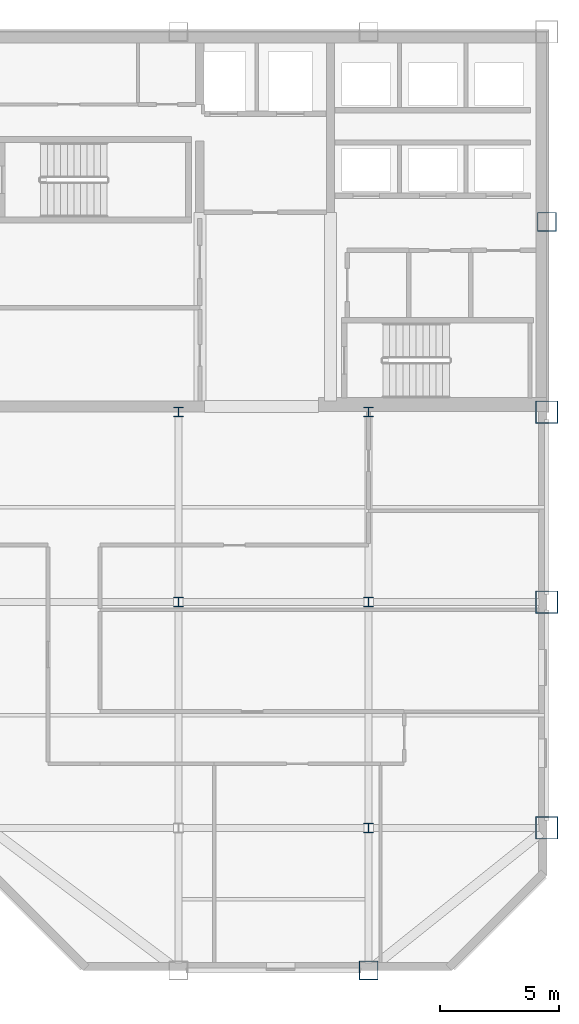
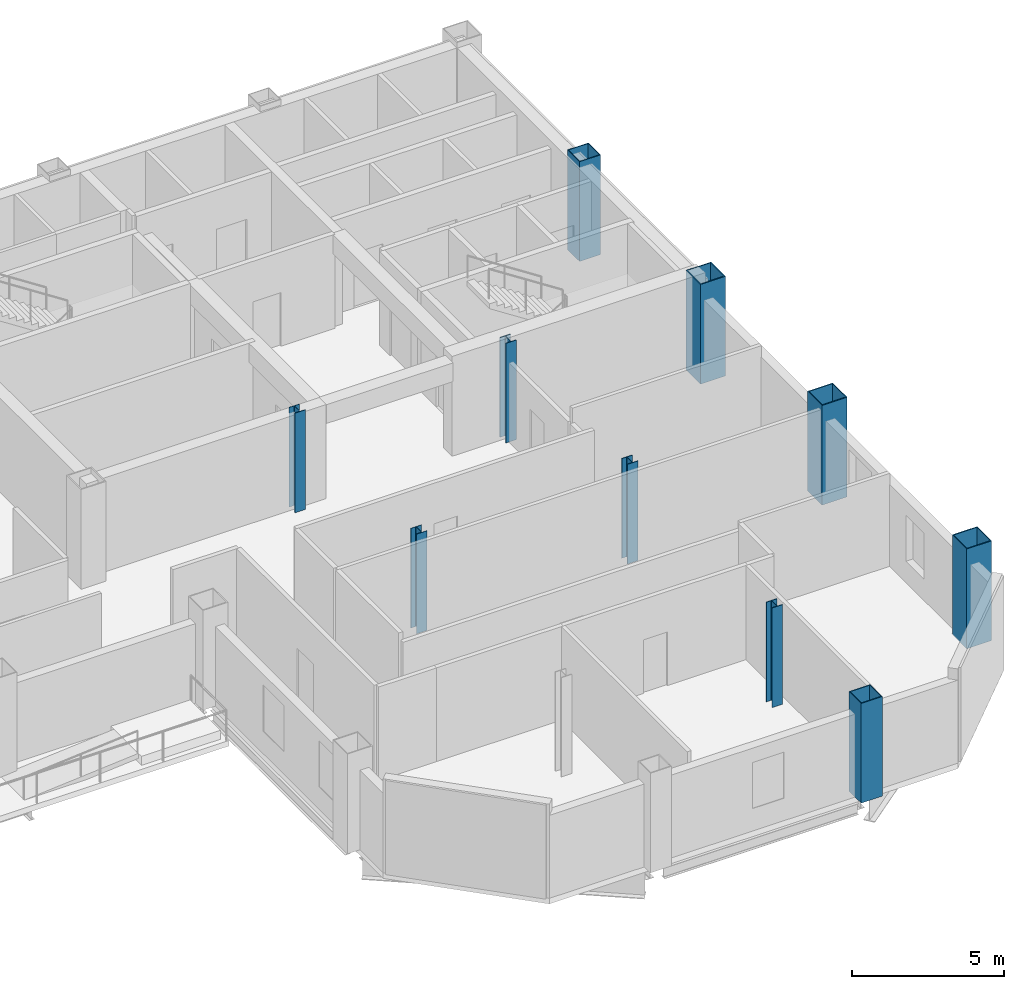
# One storey, part 2 of 11: 10 columns.
"""IFC4 building model written with IfcOpenShell, lengths in metres."""

from ifc_helpers import new_model, si_unit, direction, frame, origin, origin_2d, place, context, subcontext, project, spatial, hollow_rectangle, i_section, extrude, material, material_profile, profile_set, type_object, element, save


model = new_model("IFC4")

# Units and contexts
model_context = context("Model", 3, precision=1e-05, world=origin(), true_north=direction((0.0, 1.0)))
body_context = subcontext(model_context, "Body", "Model", "MODEL_VIEW")
ifc_project = project(units=[si_unit("LENGTHUNIT", "METRE"), si_unit("AREAUNIT", "SQUARE_METRE"), si_unit("VOLUMEUNIT", "CUBIC_METRE"), si_unit("PLANEANGLEUNIT", "RADIAN"), si_unit("MASSUNIT", "GRAM", prefix="KILO")], contexts=[model_context])

# Site, building, storey
site_placement = place(None, origin())
site = spatial("IfcSite", under=ifc_project, at=site_placement, CompositionType="ELEMENT")
building_placement = place(site_placement, origin())
building = spatial("IfcBuilding", under=site, at=building_placement, Name="Qianrong Seaharbour Tower", CompositionType="ELEMENT")
storey_placement = place(building_placement, frame((0.0, 0.0, 273.800048828125)))
storey = spatial("IfcBuildingStorey", under=building, at=storey_placement, Name="L66", CompositionType="ELEMENT", Elevation=273.800048828125)

# Columns
ifc_material = material(Name="Structural steel SN490B", Category="steel")
ifc_material_profile_1 = material_profile(ifc_material, hollow_rectangle(XDim=0.949951171875, YDim=0.949951171875, WallThickness=0.035888671875, at=origin_2d()), Name="BOX950x950x36")
ifc_profile_set_1 = profile_set([ifc_material_profile_1], Name="Structural steel SN490B")
column_type_1 = type_object("IfcColumnType", Name="COL-CFT-950", PredefinedType="COLUMN", material=ifc_profile_set_1)
for number, where, z_axis, x_axis, name in (
    (1, (64.0, 18.5, 0.0), (0.0, 0.0, 1.0), (1.0, 0.0, 0.0), "L66 Column MC-4 at G9/GD"),
    (2, (64.0, 28.0, 0.0), (0.0, 0.0, 1.0), (1.0, 0.0, 0.0), "L66 Column MC-4 at G9/GE"),
    (3, (64.0, 36.0, 0.0), (0.0, 0.0, 1.0), (1.0, 0.0, 0.0), "L66 Column MC-4 at G9/GF"),
):
    element("IfcColumn", number, at=place(storey_placement, frame(where, z_axis=z_axis, x_axis=x_axis)), inside=storey, type_object=column_type_1, Name=name, PredefinedType="COLUMN", context=body_context, shape_type="SweptSolid", body=[
        extrude(hollow_rectangle(XDim=0.949951171875, YDim=0.949951171875, WallThickness=0.035888671875, at=origin_2d()), origin(), (0.0, 0.0, 1.0), 4.0),
    ])
ifc_material_profile_2 = material_profile(ifc_material, i_section(OverallWidth=0.39990234375, OverallDepth=0.39990234375, WebThickness=0.012939453125, FlangeThickness=0.02099609375, FilletRadius=0.02197265625, at=origin_2d()), Name="H400x400x13x21")
ifc_profile_set_2 = profile_set([ifc_material_profile_2], Name="Structural steel SN490B")
column_type_2 = type_object("IfcColumnType", Name="COL-INT-H400", PredefinedType="COLUMN", material=ifc_profile_set_2)
for number, where, z_axis, x_axis, name in (
    (4, (48.5, 28.0, 0.0), (0.0, 0.0, 1.0), (1.0, 0.0, 0.0), "L66 Column IC-3 at G7/GE"),
    (5, (48.5, 36.0, 0.0), (0.0, 0.0, 1.0), (1.0, 0.0, 0.0), "L66 Column IC-3 at G7/GF"),
    (6, (56.5, 18.5, 0.0), (0.0, 0.0, 1.0), (1.0, 0.0, 0.0), "L66 Column IC-3 at G8/GD"),
    (7, (56.5, 28.0, 0.0), (0.0, 0.0, 1.0), (1.0, 0.0, 0.0), "L66 Column IC-3 at G8/GE"),
    (8, (56.5, 36.0, 0.0), (0.0, 0.0, 1.0), (1.0, 0.0, 0.0), "L66 Column IC-3 at G8/GF"),
):
    element("IfcColumn", number, at=place(storey_placement, frame(where, z_axis=z_axis, x_axis=x_axis)), inside=storey, type_object=column_type_2, Name=name, PredefinedType="COLUMN", context=body_context, shape_type="SweptSolid", body=[
        extrude(i_section(OverallWidth=0.39990234375, OverallDepth=0.39990234375, WebThickness=0.012939453125, FlangeThickness=0.02099609375, FilletRadius=0.02197265625, at=origin_2d()), origin(), (0.0, 0.0, 1.0), 4.0),
    ])
ifc_material_profile_3 = material_profile(ifc_material, hollow_rectangle(XDim=0.800048828125, YDim=0.800048828125, WallThickness=0.031982421875, at=origin_2d()), Name="BOX800x800x32")
ifc_profile_set_3 = profile_set([ifc_material_profile_3], Name="Structural steel SN490B")
column_type_3 = type_object("IfcColumnType", Name="COL-PER-800", PredefinedType="COLUMN", material=ifc_profile_set_3)
for number, where, z_axis, x_axis, name in (
    (9, (56.5, 12.5, 0.0), (0.0, 0.0, 1.0), (1.0, 0.0, 0.0), "L66 Column PC-3 at G8/GC"),
    (10, (64.0, 44.0, 0.0), (0.0, 0.0, 1.0), (1.0, 0.0, 0.0), "L66 Column PC-3 at G9/GG"),
):
    element("IfcColumn", number, at=place(storey_placement, frame(where, z_axis=z_axis, x_axis=x_axis)), inside=storey, type_object=column_type_3, Name=name, PredefinedType="COLUMN", context=body_context, shape_type="SweptSolid", body=[
        extrude(hollow_rectangle(XDim=0.800048828125, YDim=0.800048828125, WallThickness=0.031982421875, at=origin_2d()), origin(), (0.0, 0.0, 1.0), 4.0),
    ])

save(model, "model.ifc")
